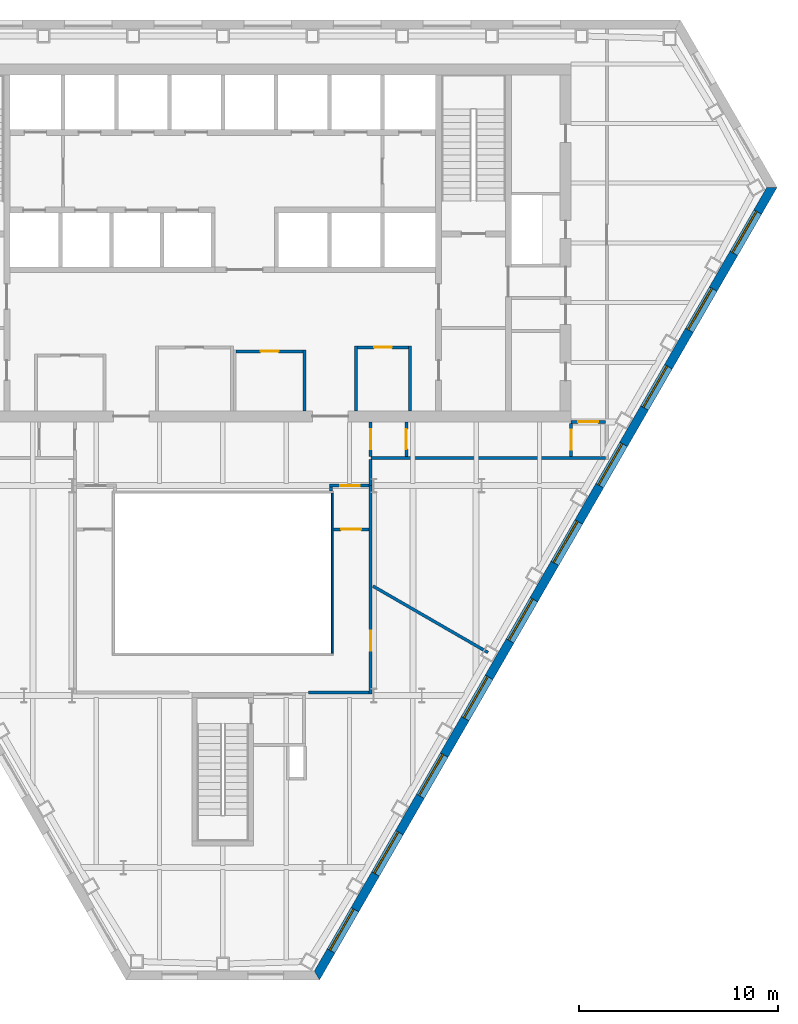
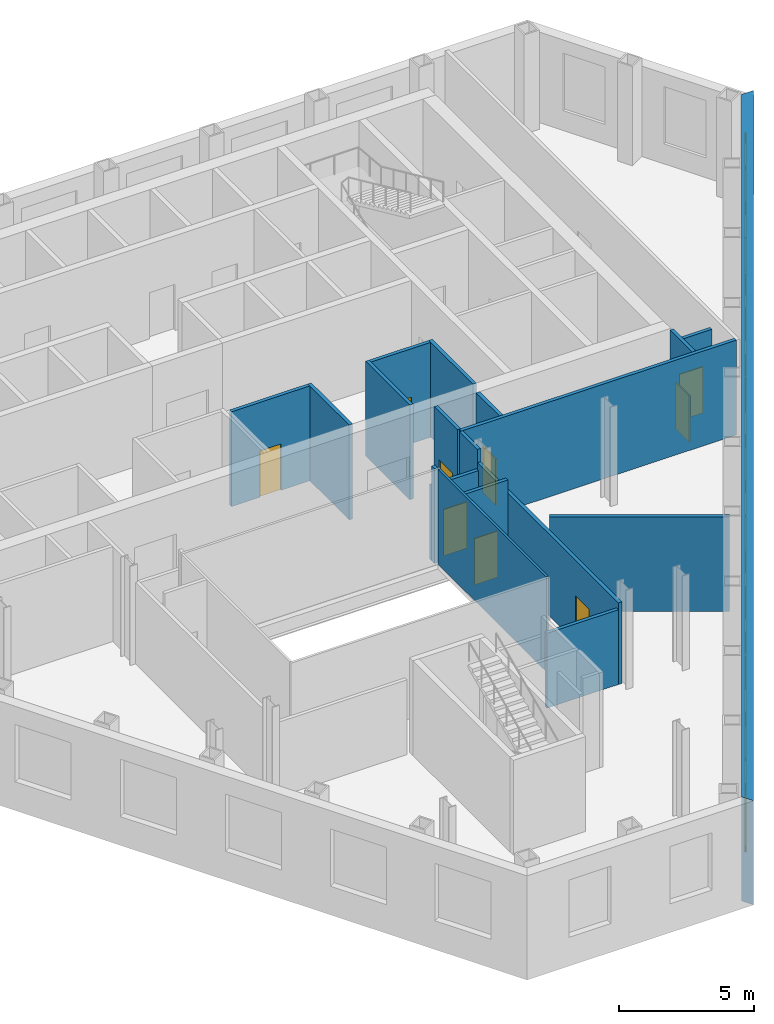
# One storey, part 5 of 11: 19 walls, 10 windows, 9 doors, 19 openings.
"""IFC4 building model written with IfcOpenShell, lengths in metres."""

from ifc_helpers import new_model, si_unit, direction, frame, frame_2d, origin, place, context, subcontext, project, spatial, polyline, rectangle, outline, extrude, material, layer, layer_set, type_object, element, fill, save


model = new_model("IFC4")

# Units and contexts
model_context = context("Model", 3, precision=1e-05, world=origin(), true_north=direction((0.0, 1.0)))
body_context = subcontext(model_context, "Body", "Model", "MODEL_VIEW")
ifc_project = project(units=[si_unit("LENGTHUNIT", "METRE"), si_unit("AREAUNIT", "SQUARE_METRE"), si_unit("VOLUMEUNIT", "CUBIC_METRE"), si_unit("PLANEANGLEUNIT", "RADIAN"), si_unit("MASSUNIT", "GRAM", prefix="KILO")], contexts=[model_context])

# Site, building, storey
site_placement = place(None, origin())
site = spatial("IfcSite", under=ifc_project, at=site_placement, CompositionType="ELEMENT")
building_placement = place(site_placement, origin())
building = spatial("IfcBuilding", under=site, at=building_placement, Name="Njiva Tower", CompositionType="ELEMENT")
storey_placement = place(building_placement, frame((0.0, 0.0, 120.3)))
storey = spatial("IfcBuildingStorey", under=building, at=storey_placement, Name="L25", CompositionType="ELEMENT", Elevation=120.3)

# Wall
ifc_material_1 = material(Name="Blockwork", Category="masonry")
ifc_layer_1 = layer(ifc_material_1, 0.15)
ifc_layer_set_1 = layer_set([ifc_layer_1], Name="Blockwork")
wall_type_1 = type_object("IfcWallType", Name="WT1 Compartment partition 150", PredefinedType="PARTITIONING", material=ifc_layer_set_1)
wall_1_placement = place(storey_placement, frame((4.1, 0.55, 0.0), z_axis=(0.0, 0.0, 1.0), x_axis=(0.0, 1.0, 0.0)))
element("IfcWall", 1, at=wall_1_placement, inside=storey, type_object=wall_type_1, Name="Concierge office wall east", PredefinedType="PARTITIONING", context=body_context, shape_type="SweptSolid", body=[
    extrude(rectangle(XDim=3.075, YDim=0.15, at=frame_2d((1.5375, 0.0))), origin(), (0.0, 0.0, 1.0), 4.3),
])

# Wall, opening, door
wall_2_placement = place(storey_placement, frame((0.675, 3.55, 0.0), z_axis=(0.0, 0.0, 1.0), x_axis=(1.0, 0.0, 0.0)))
wall_2 = element("IfcWall", 2, at=wall_2_placement, inside=storey, type_object=wall_type_1, Name="Concierge office wall north", PredefinedType="PARTITIONING", context=body_context, shape_type="SweptSolid", body=[
    extrude(rectangle(XDim=3.35, YDim=0.15, at=frame_2d((1.675, 0.0))), origin(), (0.0, 0.0, 1.0), 4.3),
])
opening_1_placement = place(wall_2_placement, frame((1.225, 0.0, 0.0)))
opening_1 = element("IfcOpeningElement", 3, at=opening_1_placement, cuts=wall_2, Name="Opening S08-D934", PredefinedType="OPENING", context=body_context, shape_type="SweptSolid", body=[
    extrude(rectangle(XDim=0.9, YDim=2.1, at=frame_2d((0.45, 1.05))), frame((0.0, 0.085, 0.0), z_axis=(0.0, -1.0, 0.0), x_axis=(1.0, 0.0, 0.0)), (0.0, 0.0, 1.0), 0.17),
])
ifc_material_2 = material(Name="Steel fire door, painted", Category="steel")
door_type_1 = type_object("IfcDoorType", Name="D6 Fire-rated door 900x2100", OperationType="SINGLE_SWING_LEFT", PredefinedType="DOOR", material=ifc_material_2)
door_1_placement = place(opening_1_placement, origin())
door_1 = element("IfcDoor", 4, at=door_1_placement, inside=storey, type_object=door_type_1, Name="Concierge office door", OperationType="SINGLE_SWING_LEFT", OverallHeight=2.1, OverallWidth=0.9, PredefinedType="DOOR", context=body_context, shape_type="SweptSolid", body=[
    extrude(rectangle(XDim=0.9, YDim=2.1, at=frame_2d((0.45, 1.05))), frame((0.0, 0.025, 0.0), z_axis=(0.0, -1.0, 0.0), x_axis=(1.0, 0.0, 0.0)), (0.0, 0.0, 1.0), 0.05),
])
fill(opening_1, door_1)

# Walls
for number, where, z_axis, x_axis, name in (
    (5, (6.7, 0.55, 0.0), (0.0, 0.0, 1.0), (0.0, 1.0, 0.0), "Post room wall west"),
    (6, (9.4, 0.55, 0.0), (0.0, 0.0, 1.0), (0.0, 1.0, 0.0), "Post room wall east"),
):
    element("IfcWall", number, at=place(storey_placement, frame(where, z_axis=z_axis, x_axis=x_axis)), inside=storey, type_object=wall_type_1, Name=name, PredefinedType="PARTITIONING", context=body_context, shape_type="SweptSolid", body=[
        extrude(rectangle(XDim=3.275, YDim=0.15, at=frame_2d((1.6375, 0.0))), origin(), (0.0, 0.0, 1.0), 4.3),
    ])

# Wall, opening, door
wall_3_placement = place(storey_placement, frame((6.775, 3.75, 0.0), z_axis=(0.0, 0.0, 1.0), x_axis=(1.0, 0.0, 0.0)))
wall_3 = element("IfcWall", 7, at=wall_3_placement, inside=storey, type_object=wall_type_1, Name="Post room wall north", PredefinedType="PARTITIONING", context=body_context, shape_type="SweptSolid", body=[
    extrude(rectangle(XDim=2.55, YDim=0.15, at=frame_2d((1.275, 0.0))), origin(), (0.0, 0.0, 1.0), 4.3),
])
opening_2_placement = place(wall_3_placement, frame((0.825, 0.0, 0.0)))
opening_2 = element("IfcOpeningElement", 8, at=opening_2_placement, cuts=wall_3, Name="Opening S08-D935", PredefinedType="OPENING", context=body_context, shape_type="SweptSolid", body=[
    extrude(rectangle(XDim=0.9, YDim=2.1, at=frame_2d((0.45, 1.05))), frame((0.0, 0.085, 0.0), z_axis=(0.0, -1.0, 0.0), x_axis=(1.0, 0.0, 0.0)), (0.0, 0.0, 1.0), 0.17),
])
door_2_placement = place(opening_2_placement, origin())
door_2 = element("IfcDoor", 9, at=door_2_placement, inside=storey, type_object=door_type_1, Name="Post room door", OperationType="SINGLE_SWING_RIGHT", OverallHeight=2.1, OverallWidth=0.9, PredefinedType="DOOR", context=body_context, shape_type="SweptSolid", body=[
    extrude(rectangle(XDim=0.9, YDim=2.1, at=frame_2d((0.45, 1.05))), frame((0.0, 0.025, 0.0), z_axis=(0.0, -1.0, 0.0), x_axis=(1.0, 0.0, 0.0)), (0.0, 0.0, 1.0), 0.05),
])
fill(opening_2, door_2)

# Wall
ifc_material_3 = material(Name="Gypsum board on steel studs", Category="gypsum")
ifc_layer_2 = layer(ifc_material_3, 0.15)
ifc_layer_set_2 = layer_set([ifc_layer_2], Name="Gypsum board on steel studs")
wall_type_2 = type_object("IfcWallType", Name="WT21 Compartment wall 150", PredefinedType="PARTITIONING", material=ifc_layer_set_2)
wall_4_placement = place(storey_placement, frame((4.3, -13.6, 0.0), z_axis=(0.0, 0.0, 1.0), x_axis=(1.0, 0.0, 0.0)))
element("IfcWall", 10, at=wall_4_placement, inside=storey, type_object=wall_type_2, Name="Partition S08-P015", PredefinedType="PARTITIONING", context=body_context, shape_type="SweptSolid", body=[
    extrude(rectangle(XDim=3.055, YDim=0.15, at=frame_2d((1.5275, 0.0))), origin(), (0.0, 0.0, 1.0), 3.39),
])

# Wall, opening, door
wall_5_placement = place(storey_placement, frame((5.355, -3.2, 0.0), z_axis=(0.0, 0.0, 1.0), x_axis=(1.0, 0.0, 0.0)))
wall_5 = element("IfcWall", 11, at=wall_5_placement, inside=storey, type_object=wall_type_2, Name="Partition S08-P016", PredefinedType="PARTITIONING", context=body_context, shape_type="SweptSolid", body=[
    extrude(rectangle(XDim=2.0, YDim=0.15, at=frame_2d((1.0, 0.0))), origin(), (0.0, 0.0, 1.0), 3.39),
])
opening_3_placement = place(wall_5_placement, frame((0.538, 0.0, 0.0)))
opening_3 = element("IfcOpeningElement", 12, at=opening_3_placement, cuts=wall_5, Name="Opening S08-D011", PredefinedType="OPENING", context=body_context, shape_type="SweptSolid", body=[
    extrude(rectangle(XDim=1.0, YDim=2.1, at=frame_2d((0.5, 1.05))), frame((0.0, 0.085, 0.0), z_axis=(0.0, -1.0, 0.0), x_axis=(1.0, 0.0, 0.0)), (0.0, 0.0, 1.0), 0.17),
])
ifc_material_4 = material(Name="Steel fire door set", Category="steel")
door_type_2 = type_object("IfcDoorType", Name="D37 Fire door 1000x2100", OperationType="SINGLE_SWING_LEFT", PredefinedType="DOOR", material=ifc_material_4)
door_3_placement = place(opening_3_placement, origin())
door_3 = element("IfcDoor", 13, at=door_3_placement, inside=storey, type_object=door_type_2, Name="Door S08-D011", OperationType="SINGLE_SWING_LEFT", OverallHeight=2.1, OverallWidth=1.0, PredefinedType="DOOR", context=body_context, shape_type="SweptSolid", body=[
    extrude(rectangle(XDim=1.0, YDim=2.1, at=frame_2d((0.5, 1.05))), frame((0.0, 0.025, 0.0), z_axis=(0.0, -1.0, 0.0), x_axis=(1.0, 0.0, 0.0)), (0.0, 0.0, 1.0), 0.05),
])
fill(opening_3, door_3)

# Wall
wall_6_placement = place(storey_placement, frame((5.43, -3.48, 0.0), z_axis=(0.0, 0.0, 1.0), x_axis=(0.0, 1.0, 0.0)))
element("IfcWall", 14, at=wall_6_placement, inside=storey, type_object=wall_type_2, Name="Partition S08-P017", PredefinedType="PARTITIONING", context=body_context, shape_type="SweptSolid", body=[
    extrude(rectangle(XDim=0.205, YDim=0.15, at=frame_2d((0.1025, 0.0))), origin(), (0.0, 0.0, 1.0), 4.3),
])

# Wall, opening, door
wall_7_placement = place(storey_placement, frame((5.55, -5.4, 0.0), z_axis=(0.0, 0.0, 1.0), x_axis=(1.0, 0.0, 0.0)))
wall_7 = element("IfcWall", 15, at=wall_7_placement, inside=storey, type_object=wall_type_2, Name="Partition S08-P018", PredefinedType="PARTITIONING", context=body_context, shape_type="SweptSolid", body=[
    extrude(rectangle(XDim=1.805, YDim=0.15, at=frame_2d((0.9025, 0.0))), origin(), (0.0, 0.0, 1.0), 4.3),
])
opening_4_placement = place(wall_7_placement, frame((0.402, 0.0, 0.0)))
opening_4 = element("IfcOpeningElement", 16, at=opening_4_placement, cuts=wall_7, Name="Opening S08-D012", PredefinedType="OPENING", context=body_context, shape_type="SweptSolid", body=[
    extrude(rectangle(XDim=1.0, YDim=2.1, at=frame_2d((0.5, 1.05))), frame((0.0, 0.085, 0.0), z_axis=(0.0, -1.0, 0.0), x_axis=(1.0, 0.0, 0.0)), (0.0, 0.0, 1.0), 0.17),
])
door_4_placement = place(opening_4_placement, origin())
door_4 = element("IfcDoor", 17, at=door_4_placement, inside=storey, type_object=door_type_2, Name="Door S08-D012", OperationType="SINGLE_SWING_RIGHT", OverallHeight=2.1, OverallWidth=1.0, PredefinedType="DOOR", context=body_context, shape_type="SweptSolid", body=[
    extrude(rectangle(XDim=1.0, YDim=2.1, at=frame_2d((0.5, 1.05))), frame((0.0, 0.025, 0.0), z_axis=(0.0, -1.0, 0.0), x_axis=(1.0, 0.0, 0.0)), (0.0, 0.0, 1.0), 0.05),
])
fill(opening_4, door_4)

wall_8_placement = place(storey_placement, frame((7.43, -13.675, 0.0), z_axis=(0.0, 0.0, 1.0), x_axis=(0.0, 1.0, 0.0)))
wall_8 = element("IfcWall", 18, at=wall_8_placement, inside=storey, type_object=wall_type_2, Name="Partition S08-P019", PredefinedType="PARTITIONING", context=body_context, shape_type="SweptSolid", body=[
    extrude(rectangle(XDim=10.475, YDim=0.15, at=frame_2d((5.2375, 0.0))), origin(), (0.0, 0.0, 1.0), 3.7),
])
opening_5_placement = place(wall_8_placement, frame((2.183, 0.0, 0.0)))
opening_5 = element("IfcOpeningElement", 19, at=opening_5_placement, cuts=wall_8, Name="Opening S08-D013", PredefinedType="OPENING", context=body_context, shape_type="SweptSolid", body=[
    extrude(rectangle(XDim=1.0, YDim=2.1, at=frame_2d((0.5, 1.05))), frame((0.0, 0.085, 0.0), z_axis=(0.0, -1.0, 0.0), x_axis=(1.0, 0.0, 0.0)), (0.0, 0.0, 1.0), 0.17),
])
door_5_placement = place(opening_5_placement, origin())
door_5 = element("IfcDoor", 20, at=door_5_placement, inside=storey, type_object=door_type_2, Name="Door S08-D013", OperationType="SINGLE_SWING_LEFT", OverallHeight=2.1, OverallWidth=1.0, PredefinedType="DOOR", context=body_context, shape_type="SweptSolid", body=[
    extrude(rectangle(XDim=1.0, YDim=2.1, at=frame_2d((0.5, 1.05))), frame((0.0, 0.025, 0.0), z_axis=(0.0, -1.0, 0.0), x_axis=(1.0, 0.0, 0.0)), (0.0, 0.0, 1.0), 0.05),
])
fill(opening_5, door_5)

# Wall
wall_9_placement = place(storey_placement, frame((7.43, -3.2, 0.0), z_axis=(0.0, 0.0, 1.0), x_axis=(0.0, 1.0, 0.0)))
element("IfcWall", 21, at=wall_9_placement, inside=storey, type_object=wall_type_2, Name="Partition S08-P019A", PredefinedType="PARTITIONING", context=body_context, shape_type="SweptSolid", body=[
    extrude(rectangle(XDim=1.325, YDim=0.15, at=frame_2d((0.6625, 0.0))), origin(), (0.0, 0.0, 1.0), 4.3),
])

# Wall, opening, door
wall_10_placement = place(storey_placement, frame((7.43, -1.725, 0.0), z_axis=(0.0, 0.0, 1.0), x_axis=(0.0, 1.0, 0.0)))
wall_10 = element("IfcWall", 22, at=wall_10_placement, inside=storey, type_object=wall_type_2, Name="Partition S08-P020", PredefinedType="PARTITIONING", context=body_context, shape_type="SweptSolid", body=[
    extrude(rectangle(XDim=1.725, YDim=0.15, at=frame_2d((0.8625, 0.0))), origin(), (0.0, 0.0, 1.0), 4.3),
])
opening_6_placement = place(wall_10_placement, frame((0.363, 0.0, 0.0)))
opening_6 = element("IfcOpeningElement", 23, at=opening_6_placement, cuts=wall_10, Name="Opening S08-D014", PredefinedType="OPENING", context=body_context, shape_type="SweptSolid", body=[
    extrude(rectangle(XDim=1.0, YDim=2.1, at=frame_2d((0.5, 1.05))), frame((0.0, 0.085, 0.0), z_axis=(0.0, -1.0, 0.0), x_axis=(1.0, 0.0, 0.0)), (0.0, 0.0, 1.0), 0.17),
])
door_6_placement = place(opening_6_placement, origin())
door_6 = element("IfcDoor", 24, at=door_6_placement, inside=storey, type_object=door_type_2, Name="Door S08-D014", OperationType="SINGLE_SWING_RIGHT", OverallHeight=2.1, OverallWidth=1.0, PredefinedType="DOOR", context=body_context, shape_type="SweptSolid", body=[
    extrude(rectangle(XDim=1.0, YDim=2.1, at=frame_2d((0.5, 1.05))), frame((0.0, 0.025, 0.0), z_axis=(0.0, -1.0, 0.0), x_axis=(1.0, 0.0, 0.0)), (0.0, 0.0, 1.0), 0.05),
])
fill(opening_6, door_6)

# Walls
wall_11_placement = place(storey_placement, frame((7.435, -1.8, 0.0), z_axis=(0.0, 0.0, 1.0), x_axis=(1.0, 0.0, 0.0)))
element("IfcWall", 25, at=wall_11_placement, inside=storey, type_object=wall_type_2, Name="Partition S08-P021", PredefinedType="PARTITIONING", context=body_context, shape_type="SweptSolid", body=[
    extrude(rectangle(XDim=11.79, YDim=0.15, at=frame_2d((5.895, 0.0))), origin(), (0.0, 0.0, 1.0), 4.3),
])
wall_12_placement = place(storey_placement, frame((7.542, -8.247, 0.0), z_axis=(0.0, 0.0, 1.0), x_axis=(0.866078355221, -0.499908274205, 0.0)))
element("IfcWall", 26, at=wall_12_placement, inside=storey, type_object=wall_type_2, Name="Partition S08-P022", PredefinedType="PARTITIONING", context=body_context, shape_type="SweptSolid", body=[
    extrude(rectangle(XDim=6.6772, YDim=0.15, at=frame_2d((3.3386, 0.0))), origin(), (0.0, 0.0, 1.0), 4.3),
])

# Wall, opening, door
wall_13_placement = place(storey_placement, frame((9.23, -1.725, 0.0), z_axis=(0.0, 0.0, 1.0), x_axis=(0.0, 1.0, 0.0)))
wall_13 = element("IfcWall", 27, at=wall_13_placement, inside=storey, type_object=wall_type_2, Name="Partition S08-P023", PredefinedType="PARTITIONING", context=body_context, shape_type="SweptSolid", body=[
    extrude(rectangle(XDim=1.725, YDim=0.15, at=frame_2d((0.8625, 0.0))), origin(), (0.0, 0.0, 1.0), 4.3),
])
opening_7_placement = place(wall_13_placement, frame((0.363, 0.0, 0.0)))
opening_7 = element("IfcOpeningElement", 28, at=opening_7_placement, cuts=wall_13, Name="Opening S08-D015", PredefinedType="OPENING", context=body_context, shape_type="SweptSolid", body=[
    extrude(rectangle(XDim=1.0, YDim=2.1, at=frame_2d((0.5, 1.05))), frame((0.0, 0.085, 0.0), z_axis=(0.0, -1.0, 0.0), x_axis=(1.0, 0.0, 0.0)), (0.0, 0.0, 1.0), 0.17),
])
door_7_placement = place(opening_7_placement, origin())
door_7 = element("IfcDoor", 29, at=door_7_placement, inside=storey, type_object=door_type_2, Name="Door S08-D015", OperationType="SINGLE_SWING_RIGHT", OverallHeight=2.1, OverallWidth=1.0, PredefinedType="DOOR", context=body_context, shape_type="SweptSolid", body=[
    extrude(rectangle(XDim=1.0, YDim=2.1, at=frame_2d((0.5, 1.05))), frame((0.0, 0.025, 0.0), z_axis=(0.0, -1.0, 0.0), x_axis=(1.0, 0.0, 0.0)), (0.0, 0.0, 1.0), 0.05),
])
fill(opening_7, door_7)

wall_14_placement = place(storey_placement, frame((17.5, -1.725, 0.0), z_axis=(0.0, 0.0, 1.0), x_axis=(0.0, 1.0, 0.0)))
wall_14 = element("IfcWall", 30, at=wall_14_placement, inside=storey, type_object=wall_type_2, Name="Partition S08-P024", PredefinedType="PARTITIONING", context=body_context, shape_type="SweptSolid", body=[
    extrude(rectangle(XDim=1.65, YDim=0.15, at=frame_2d((0.825, 0.0))), origin(), (0.0, 0.0, 1.0), 4.3),
])
opening_8_placement = place(wall_14_placement, frame((0.325, 0.0, 0.0)))
opening_8 = element("IfcOpeningElement", 31, at=opening_8_placement, cuts=wall_14, Name="Opening S08-D016", PredefinedType="OPENING", context=body_context, shape_type="SweptSolid", body=[
    extrude(rectangle(XDim=1.0, YDim=2.1, at=frame_2d((0.5, 1.05))), frame((0.0, 0.085, 0.0), z_axis=(0.0, -1.0, 0.0), x_axis=(1.0, 0.0, 0.0)), (0.0, 0.0, 1.0), 0.17),
])
door_8_placement = place(opening_8_placement, origin())
door_8 = element("IfcDoor", 32, at=door_8_placement, inside=storey, type_object=door_type_2, Name="Door S08-D016", OperationType="SINGLE_SWING_RIGHT", OverallHeight=2.1, OverallWidth=1.0, PredefinedType="DOOR", context=body_context, shape_type="SweptSolid", body=[
    extrude(rectangle(XDim=1.0, YDim=2.1, at=frame_2d((0.5, 1.05))), frame((0.0, 0.025, 0.0), z_axis=(0.0, -1.0, 0.0), x_axis=(1.0, 0.0, 0.0)), (0.0, 0.0, 1.0), 0.05),
])
fill(opening_8, door_8)

wall_15_placement = place(storey_placement, frame((17.5, 0.0, 0.0), z_axis=(0.0, 0.0, 1.0), x_axis=(1.0, 0.0, 0.0)))
wall_15 = element("IfcWall", 33, at=wall_15_placement, inside=storey, type_object=wall_type_2, Name="Partition S08-P025", PredefinedType="PARTITIONING", context=body_context, shape_type="SweptSolid", body=[
    extrude(rectangle(XDim=1.725, YDim=0.15, at=frame_2d((0.8625, 0.0))), origin(), (0.0, 0.0, 1.0), 3.7),
])
opening_9_placement = place(wall_15_placement, frame((0.363, 0.0, 0.0)))
opening_9 = element("IfcOpeningElement", 34, at=opening_9_placement, cuts=wall_15, Name="Opening S08-D017", PredefinedType="OPENING", context=body_context, shape_type="SweptSolid", body=[
    extrude(rectangle(XDim=1.0, YDim=2.1, at=frame_2d((0.5, 1.05))), frame((0.0, 0.085, 0.0), z_axis=(0.0, -1.0, 0.0), x_axis=(1.0, 0.0, 0.0)), (0.0, 0.0, 1.0), 0.17),
])
door_9_placement = place(opening_9_placement, origin())
door_9 = element("IfcDoor", 35, at=door_9_placement, inside=storey, type_object=door_type_2, Name="Door S08-D017", OperationType="SINGLE_SWING_LEFT", OverallHeight=2.1, OverallWidth=1.0, PredefinedType="DOOR", context=body_context, shape_type="SweptSolid", body=[
    extrude(rectangle(XDim=1.0, YDim=2.1, at=frame_2d((0.5, 1.05))), frame((0.0, 0.025, 0.0), z_axis=(0.0, -1.0, 0.0), x_axis=(1.0, 0.0, 0.0)), (0.0, 0.0, 1.0), 0.05),
])
fill(opening_9, door_9)

# Wall, openings, windows
ifc_material_5 = material(Name="Brick masonry", Category="masonry")
ifc_layer_3 = layer(ifc_material_5, 0.45)
ifc_layer_set_3 = layer_set([ifc_layer_3], Name="Brick masonry")
wall_type_3 = type_object("IfcWallType", Name="WT90 Brick pier and spandrel wall 450", PredefinedType="SOLIDWALL", material=ifc_layer_set_3)
wall_16_placement = place(storey_placement, frame((4.7301, -27.8213, -0.4), z_axis=(0.0, 0.0, 1.0), x_axis=(0.500000141277, 0.866025322218, 0.0)))
wall_16 = element("IfcWall", 36, at=wall_16_placement, inside=storey, type_object=wall_type_3, Name="Facade wall SE", PredefinedType="SOLIDWALL", context=body_context, shape_type="SweptSolid", body=[
    extrude(outline(polyline([(-0.1299, -0.225), (45.8601, -0.225), (45.6003, 0.225), (0.1299, 0.225), (-0.1299, -0.225)])), origin(), (0.0, 0.0, 1.0), 4.72),
])
opening_10_placement = place(wall_16_placement, frame((1.4237, 0.0, 1.3)))
opening_10 = element("IfcOpeningElement", 37, at=opening_10_placement, cuts=wall_16, Name="Opening S08-W23", PredefinedType="OPENING", context=body_context, shape_type="SweptSolid", body=[
    extrude(rectangle(XDim=2.4, YDim=2.6, at=frame_2d((1.2, 1.3))), frame((0.0, 0.235, 0.0), z_axis=(0.0, -1.0, 0.0), x_axis=(1.0, 0.0, 0.0)), (0.0, 0.0, 1.0), 0.47),
])
opening_11_placement = place(wall_16_placement, frame((5.8919, 0.0, 1.3)))
opening_11 = element("IfcOpeningElement", 38, at=opening_11_placement, cuts=wall_16, Name="Opening S08-W24", PredefinedType="OPENING", context=body_context, shape_type="SweptSolid", body=[
    extrude(rectangle(XDim=2.4, YDim=2.6, at=frame_2d((1.2, 1.3))), frame((0.0, 0.235, 0.0), z_axis=(0.0, -1.0, 0.0), x_axis=(1.0, 0.0, 0.0)), (0.0, 0.0, 1.0), 0.47),
])
opening_12_placement = place(wall_16_placement, frame((10.3985, 0.0, 1.3)))
opening_12 = element("IfcOpeningElement", 39, at=opening_12_placement, cuts=wall_16, Name="Opening S08-W25", PredefinedType="OPENING", context=body_context, shape_type="SweptSolid", body=[
    extrude(rectangle(XDim=2.4, YDim=2.6, at=frame_2d((1.2, 1.3))), frame((0.0, 0.235, 0.0), z_axis=(0.0, -1.0, 0.0), x_axis=(1.0, 0.0, 0.0)), (0.0, 0.0, 1.0), 0.47),
])
opening_13_placement = place(wall_16_placement, frame((14.9052, 0.0, 1.3)))
opening_13 = element("IfcOpeningElement", 40, at=opening_13_placement, cuts=wall_16, Name="Opening S08-W26", PredefinedType="OPENING", context=body_context, shape_type="SweptSolid", body=[
    extrude(rectangle(XDim=2.4, YDim=2.6, at=frame_2d((1.2, 1.3))), frame((0.0, 0.235, 0.0), z_axis=(0.0, -1.0, 0.0), x_axis=(1.0, 0.0, 0.0)), (0.0, 0.0, 1.0), 0.47),
])
opening_14_placement = place(wall_16_placement, frame((19.4118, 0.0, 1.3)))
opening_14 = element("IfcOpeningElement", 41, at=opening_14_placement, cuts=wall_16, Name="Opening S08-W27", PredefinedType="OPENING", context=body_context, shape_type="SweptSolid", body=[
    extrude(rectangle(XDim=2.4, YDim=2.6, at=frame_2d((1.2, 1.3))), frame((0.0, 0.235, 0.0), z_axis=(0.0, -1.0, 0.0), x_axis=(1.0, 0.0, 0.0)), (0.0, 0.0, 1.0), 0.47),
])
opening_15_placement = place(wall_16_placement, frame((23.9184, 0.0, 1.3)))
opening_15 = element("IfcOpeningElement", 42, at=opening_15_placement, cuts=wall_16, Name="Opening S08-W28", PredefinedType="OPENING", context=body_context, shape_type="SweptSolid", body=[
    extrude(rectangle(XDim=2.4, YDim=2.6, at=frame_2d((1.2, 1.3))), frame((0.0, 0.235, 0.0), z_axis=(0.0, -1.0, 0.0), x_axis=(1.0, 0.0, 0.0)), (0.0, 0.0, 1.0), 0.47),
])
opening_16_placement = place(wall_16_placement, frame((28.425, 0.0, 1.3)))
opening_16 = element("IfcOpeningElement", 43, at=opening_16_placement, cuts=wall_16, Name="Opening S08-W29", PredefinedType="OPENING", context=body_context, shape_type="SweptSolid", body=[
    extrude(rectangle(XDim=2.4, YDim=2.6, at=frame_2d((1.2, 1.3))), frame((0.0, 0.235, 0.0), z_axis=(0.0, -1.0, 0.0), x_axis=(1.0, 0.0, 0.0)), (0.0, 0.0, 1.0), 0.47),
])
opening_17_placement = place(wall_16_placement, frame((32.9316, 0.0, 1.3)))
opening_17 = element("IfcOpeningElement", 44, at=opening_17_placement, cuts=wall_16, Name="Opening S08-W30", PredefinedType="OPENING", context=body_context, shape_type="SweptSolid", body=[
    extrude(rectangle(XDim=2.4, YDim=2.6, at=frame_2d((1.2, 1.3))), frame((0.0, 0.235, 0.0), z_axis=(0.0, -1.0, 0.0), x_axis=(1.0, 0.0, 0.0)), (0.0, 0.0, 1.0), 0.47),
])
opening_18_placement = place(wall_16_placement, frame((37.4383, 0.0, 1.3)))
opening_18 = element("IfcOpeningElement", 45, at=opening_18_placement, cuts=wall_16, Name="Opening S08-W31", PredefinedType="OPENING", context=body_context, shape_type="SweptSolid", body=[
    extrude(rectangle(XDim=2.4, YDim=2.6, at=frame_2d((1.2, 1.3))), frame((0.0, 0.235, 0.0), z_axis=(0.0, -1.0, 0.0), x_axis=(1.0, 0.0, 0.0)), (0.0, 0.0, 1.0), 0.47),
])
opening_19_placement = place(wall_16_placement, frame((41.9065, 0.0, 1.3)))
opening_19 = element("IfcOpeningElement", 46, at=opening_19_placement, cuts=wall_16, Name="Opening S08-W32", PredefinedType="OPENING", context=body_context, shape_type="SweptSolid", body=[
    extrude(rectangle(XDim=2.4, YDim=2.6, at=frame_2d((1.2, 1.3))), frame((0.0, 0.235, 0.0), z_axis=(0.0, -1.0, 0.0), x_axis=(1.0, 0.0, 0.0)), (0.0, 0.0, 1.0), 0.47),
])
ifc_material_6 = material(Name="Clear glazing in aluminium frame", Category="aluminium")
window_type = type_object("IfcWindowType", Name="W92 Deep-set window 2400x2600", PartitioningType="SINGLE_PANEL", PredefinedType="WINDOW", material=ifc_material_6)
window_1_placement = place(opening_10_placement, origin())
window_1 = element("IfcWindow", 47, at=window_1_placement, inside=storey, type_object=window_type, Name="Window", OverallHeight=2.6, OverallWidth=2.4, PartitioningType="SINGLE_PANEL", PredefinedType="WINDOW", context=body_context, shape_type="SweptSolid", body=[
    extrude(rectangle(XDim=2.4, YDim=2.6, at=frame_2d((1.2, 1.3))), frame((0.0, 0.105, 0.0), z_axis=(0.0, -1.0, 0.0), x_axis=(1.0, 0.0, 0.0)), (0.0, 0.0, 1.0), 0.06),
])
fill(opening_10, window_1)
window_2_placement = place(opening_11_placement, origin())
window_2 = element("IfcWindow", 48, at=window_2_placement, inside=storey, type_object=window_type, Name="Window", OverallHeight=2.6, OverallWidth=2.4, PartitioningType="SINGLE_PANEL", PredefinedType="WINDOW", context=body_context, shape_type="SweptSolid", body=[
    extrude(rectangle(XDim=2.4, YDim=2.6, at=frame_2d((1.2, 1.3))), frame((0.0, 0.105, 0.0), z_axis=(0.0, -1.0, 0.0), x_axis=(1.0, 0.0, 0.0)), (0.0, 0.0, 1.0), 0.06),
])
fill(opening_11, window_2)
window_3_placement = place(opening_12_placement, origin())
window_3 = element("IfcWindow", 49, at=window_3_placement, inside=storey, type_object=window_type, Name="Window", OverallHeight=2.6, OverallWidth=2.4, PartitioningType="SINGLE_PANEL", PredefinedType="WINDOW", context=body_context, shape_type="SweptSolid", body=[
    extrude(rectangle(XDim=2.4, YDim=2.6, at=frame_2d((1.2, 1.3))), frame((0.0, 0.105, 0.0), z_axis=(0.0, -1.0, 0.0), x_axis=(1.0, 0.0, 0.0)), (0.0, 0.0, 1.0), 0.06),
])
fill(opening_12, window_3)
window_4_placement = place(opening_13_placement, origin())
window_4 = element("IfcWindow", 50, at=window_4_placement, inside=storey, type_object=window_type, Name="Window", OverallHeight=2.6, OverallWidth=2.4, PartitioningType="SINGLE_PANEL", PredefinedType="WINDOW", context=body_context, shape_type="SweptSolid", body=[
    extrude(rectangle(XDim=2.4, YDim=2.6, at=frame_2d((1.2, 1.3))), frame((0.0, 0.105, 0.0), z_axis=(0.0, -1.0, 0.0), x_axis=(1.0, 0.0, 0.0)), (0.0, 0.0, 1.0), 0.06),
])
fill(opening_13, window_4)
window_5_placement = place(opening_14_placement, origin())
window_5 = element("IfcWindow", 51, at=window_5_placement, inside=storey, type_object=window_type, Name="Window", OverallHeight=2.6, OverallWidth=2.4, PartitioningType="SINGLE_PANEL", PredefinedType="WINDOW", context=body_context, shape_type="SweptSolid", body=[
    extrude(rectangle(XDim=2.4, YDim=2.6, at=frame_2d((1.2, 1.3))), frame((0.0, 0.105, 0.0), z_axis=(0.0, -1.0, 0.0), x_axis=(1.0, 0.0, 0.0)), (0.0, 0.0, 1.0), 0.06),
])
fill(opening_14, window_5)
window_6_placement = place(opening_15_placement, origin())
window_6 = element("IfcWindow", 52, at=window_6_placement, inside=storey, type_object=window_type, Name="Window", OverallHeight=2.6, OverallWidth=2.4, PartitioningType="SINGLE_PANEL", PredefinedType="WINDOW", context=body_context, shape_type="SweptSolid", body=[
    extrude(rectangle(XDim=2.4, YDim=2.6, at=frame_2d((1.2, 1.3))), frame((0.0, 0.105, 0.0), z_axis=(0.0, -1.0, 0.0), x_axis=(1.0, 0.0, 0.0)), (0.0, 0.0, 1.0), 0.06),
])
fill(opening_15, window_6)
window_7_placement = place(opening_16_placement, origin())
window_7 = element("IfcWindow", 53, at=window_7_placement, inside=storey, type_object=window_type, Name="Window", OverallHeight=2.6, OverallWidth=2.4, PartitioningType="SINGLE_PANEL", PredefinedType="WINDOW", context=body_context, shape_type="SweptSolid", body=[
    extrude(rectangle(XDim=2.4, YDim=2.6, at=frame_2d((1.2, 1.3))), frame((0.0, 0.105, 0.0), z_axis=(0.0, -1.0, 0.0), x_axis=(1.0, 0.0, 0.0)), (0.0, 0.0, 1.0), 0.06),
])
fill(opening_16, window_7)
window_8_placement = place(opening_17_placement, origin())
window_8 = element("IfcWindow", 54, at=window_8_placement, inside=storey, type_object=window_type, Name="Window", OverallHeight=2.6, OverallWidth=2.4, PartitioningType="SINGLE_PANEL", PredefinedType="WINDOW", context=body_context, shape_type="SweptSolid", body=[
    extrude(rectangle(XDim=2.4, YDim=2.6, at=frame_2d((1.2, 1.3))), frame((0.0, 0.105, 0.0), z_axis=(0.0, -1.0, 0.0), x_axis=(1.0, 0.0, 0.0)), (0.0, 0.0, 1.0), 0.06),
])
fill(opening_17, window_8)
window_9_placement = place(opening_18_placement, origin())
window_9 = element("IfcWindow", 55, at=window_9_placement, inside=storey, type_object=window_type, Name="Window", OverallHeight=2.6, OverallWidth=2.4, PartitioningType="SINGLE_PANEL", PredefinedType="WINDOW", context=body_context, shape_type="SweptSolid", body=[
    extrude(rectangle(XDim=2.4, YDim=2.6, at=frame_2d((1.2, 1.3))), frame((0.0, 0.105, 0.0), z_axis=(0.0, -1.0, 0.0), x_axis=(1.0, 0.0, 0.0)), (0.0, 0.0, 1.0), 0.06),
])
fill(opening_18, window_9)
window_10_placement = place(opening_19_placement, origin())
window_10 = element("IfcWindow", 56, at=window_10_placement, inside=storey, type_object=window_type, Name="Window", OverallHeight=2.6, OverallWidth=2.4, PartitioningType="SINGLE_PANEL", PredefinedType="WINDOW", context=body_context, shape_type="SweptSolid", body=[
    extrude(rectangle(XDim=2.4, YDim=2.6, at=frame_2d((1.2, 1.3))), frame((0.0, 0.105, 0.0), z_axis=(0.0, -1.0, 0.0), x_axis=(1.0, 0.0, 0.0)), (0.0, 0.0, 1.0), 0.06),
])
fill(opening_19, window_10)

# Wall
ifc_material_7 = material(Name="Fire-resisting glazing EI 90", Category="glass")
ifc_layer_4 = layer(ifc_material_7, 0.1)
ifc_layer_set_4 = layer_set([ifc_layer_4], Name="Fire-resisting glazing EI 90")
wall_type_4 = type_object("IfcWallType", Name="WT95 Fire-resisting glazed screen EI 90", PredefinedType="PARTITIONING", material=ifc_layer_set_4)
wall_17_placement = place(storey_placement, frame((5.5, -11.62, 0.0), z_axis=(0.0, 0.0, 1.0), x_axis=(0.0, 1.0, 0.0)))
element("IfcWall", 57, at=wall_17_placement, inside=storey, type_object=wall_type_4, Name="Atrium fire screen east", PredefinedType="PARTITIONING", context=body_context, shape_type="SweptSolid", body=[
    extrude(rectangle(XDim=8.04, YDim=0.1, at=frame_2d((4.02, 0.0))), origin(), (0.0, 0.0, 1.0), 4.3),
])

save(model, "model.ifc")
